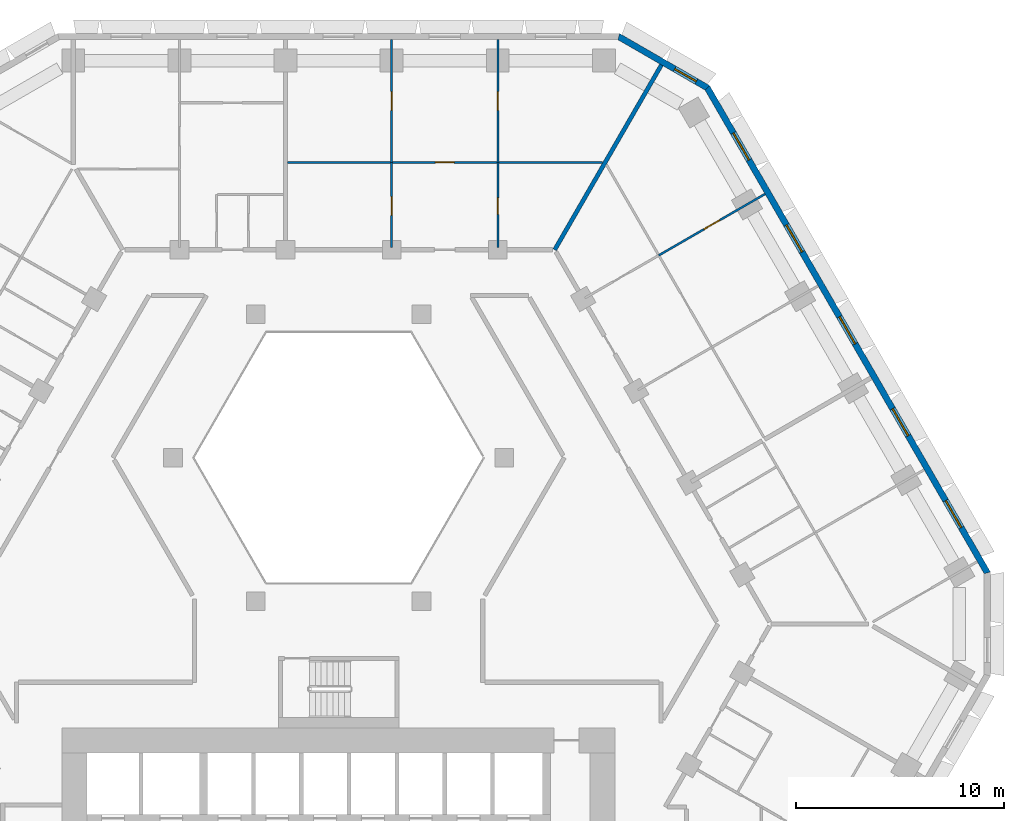
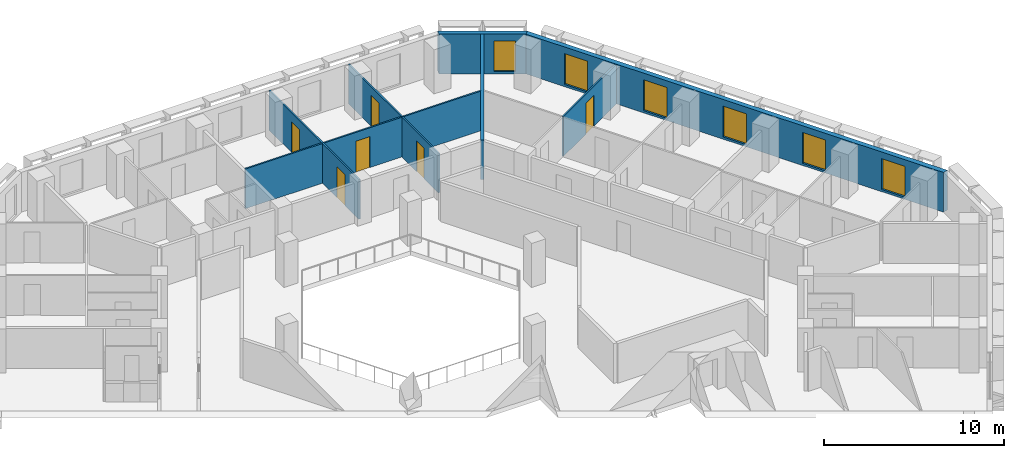
# One storey, part 10 of 16: 9 walls, 6 doors, 6 windows, 12 openings.
"""IFC4 building model written with IfcOpenShell, lengths in metres."""

from ifc_helpers import new_model, si_unit, direction, frame, frame_2d, origin, place, context, subcontext, project, spatial, polyline, rectangle, outline, extrude, material, layer, layer_set, type_object, element, fill, save


model = new_model("IFC4")

# Units and contexts
model_context = context("Model", 3, precision=1e-05, world=origin(), true_north=direction((0.0, 1.0)))
body_context = subcontext(model_context, "Body", "Model", "MODEL_VIEW")
ifc_project = project(units=[si_unit("LENGTHUNIT", "METRE"), si_unit("AREAUNIT", "SQUARE_METRE"), si_unit("VOLUMEUNIT", "CUBIC_METRE"), si_unit("PLANEANGLEUNIT", "RADIAN"), si_unit("MASSUNIT", "GRAM", prefix="KILO")], contexts=[model_context])

# Site, building, storey
site_placement = place(None, origin())
site = spatial("IfcSite", under=ifc_project, at=site_placement, CompositionType="ELEMENT")
building_placement = place(site_placement, origin())
building = spatial("IfcBuilding", under=site, at=building_placement, Name="Beryl Residences", CompositionType="ELEMENT")
storey_placement = place(building_placement, frame((0.0, 0.0, 44.39990234375)))
storey = spatial("IfcBuildingStorey", under=building, at=storey_placement, Name="L13", CompositionType="ELEMENT", Elevation=44.39990234375)

# Wall, openings, windows
ifc_material_1 = material(Name="Composite metal panel with mineral wool insulation")
ifc_layer_1 = layer(ifc_material_1, 0.300048828125)
ifc_layer_set_1 = layer_set([ifc_layer_1], Name="ES1 pale metal composite panel wall 300 mm")
wall_type_1 = type_object("IfcWallType", Name="ES1 pale metal composite panel wall 300 mm", PredefinedType="SOLIDWALL", material=ifc_layer_set_1)
wall_1_placement = place(storey_placement, frame((31.219970703125, 2.425048828125, 0.0), z_axis=(0.0, 0.0, 1.0), x_axis=(-0.500001938803, 0.866024284413, 0.0)))
wall_1 = element("IfcWall", 1, at=wall_1_placement, inside=storey, type_object=wall_type_1, Name="ES1 external wall L13 NE", PredefinedType="SOLIDWALL", context=body_context, shape_type="SweptSolid", body=[
    extrude(outline(polyline([(0.0, -0.14990234375), (27.02001953125, -0.14990234375), (26.939697265625, 0.14990234375), (0.080322265625, 0.14990234375), (0.0, -0.14990234375)])), origin(), (0.0, 0.0, 1.0), 2.7001953125),
])
opening_1_placement = place(wall_1_placement, frame((2.552978515625, 0.0, 0.14990234375)))
opening_1 = element("IfcOpeningElement", 2, at=opening_1_placement, cuts=wall_1, Name="Opening W1", PredefinedType="OPENING", context=body_context, shape_type="SweptSolid", body=[
    extrude(rectangle(XDim=1.5, YDim=2.10009765625, at=frame_2d((0.75, 1.050048828125))), frame((0.0, 0.159912109375, 0.0), z_axis=(0.0, -1.0, 0.0), x_axis=(1.0, 0.0, 0.0)), (0.0, 0.0, 1.0), 0.320068359375),
])
opening_2_placement = place(wall_1_placement, frame((7.656982421875, 0.0, 0.14990234375)))
opening_2 = element("IfcOpeningElement", 3, at=opening_2_placement, cuts=wall_1, Name="Opening W1", PredefinedType="OPENING", context=body_context, shape_type="SweptSolid", body=[
    extrude(rectangle(XDim=1.5, YDim=2.10009765625, at=frame_2d((0.75, 1.050048828125))), frame((0.0, 0.159912109375, 0.0), z_axis=(0.0, -1.0, 0.0), x_axis=(1.0, 0.0, 0.0)), (0.0, 0.0, 1.0), 0.320068359375),
])
opening_3_placement = place(wall_1_placement, frame((12.760986328125, 0.0, 0.14990234375)))
opening_3 = element("IfcOpeningElement", 4, at=opening_3_placement, cuts=wall_1, Name="Opening W1", PredefinedType="OPENING", context=body_context, shape_type="SweptSolid", body=[
    extrude(rectangle(XDim=1.5, YDim=2.10009765625, at=frame_2d((0.75, 1.050048828125))), frame((0.0, 0.159912109375, 0.0), z_axis=(0.0, -1.0, 0.0), x_axis=(1.0, 0.0, 0.0)), (0.0, 0.0, 1.0), 0.320068359375),
])
opening_4_placement = place(wall_1_placement, frame((17.864990234375, 0.0, 0.14990234375)))
opening_4 = element("IfcOpeningElement", 5, at=opening_4_placement, cuts=wall_1, Name="Opening W1", PredefinedType="OPENING", context=body_context, shape_type="SweptSolid", body=[
    extrude(rectangle(XDim=1.5, YDim=2.10009765625, at=frame_2d((0.75, 1.050048828125))), frame((0.0, 0.159912109375, 0.0), z_axis=(0.0, -1.0, 0.0), x_axis=(1.0, 0.0, 0.0)), (0.0, 0.0, 1.0), 0.320068359375),
])
opening_5_placement = place(wall_1_placement, frame((22.968994140625, 0.0, 0.14990234375)))
opening_5 = element("IfcOpeningElement", 6, at=opening_5_placement, cuts=wall_1, Name="Opening W1", PredefinedType="OPENING", context=body_context, shape_type="SweptSolid", body=[
    extrude(rectangle(XDim=1.5, YDim=2.10009765625, at=frame_2d((0.75, 1.050048828125))), frame((0.0, 0.159912109375, 0.0), z_axis=(0.0, -1.0, 0.0), x_axis=(1.0, 0.0, 0.0)), (0.0, 0.0, 1.0), 0.320068359375),
])
ifc_material_2 = material(Name="Aluminium and clear glass", Category="aluminium")
window_type_1 = type_object("IfcWindowType", Name="W1 cell window 1500 x 2100 mm", PartitioningType="SINGLE_PANEL", PredefinedType="WINDOW", material=ifc_material_2)
window_1_placement = place(opening_1_placement, origin())
window_1 = element("IfcWindow", 7, at=window_1_placement, inside=storey, type_object=window_type_1, Name="W1 window L13 NE 2", OverallHeight=2.10009765625, OverallWidth=1.5, PartitioningType="SINGLE_PANEL", PredefinedType="WINDOW", context=body_context, shape_type="SweptSolid", body=[
    extrude(rectangle(XDim=1.5, YDim=2.10009765625, at=frame_2d((0.75, 1.050048828125))), frame((0.0, 0.030029296875, 0.0), z_axis=(0.0, -1.0, 0.0), x_axis=(1.0, 0.0, 0.0)), (0.0, 0.0, 1.0), 0.06005859375),
])
fill(opening_1, window_1)
window_2_placement = place(opening_2_placement, origin())
window_2 = element("IfcWindow", 8, at=window_2_placement, inside=storey, type_object=window_type_1, Name="W1 window L13 NE 4", OverallHeight=2.10009765625, OverallWidth=1.5, PartitioningType="SINGLE_PANEL", PredefinedType="WINDOW", context=body_context, shape_type="SweptSolid", body=[
    extrude(rectangle(XDim=1.5, YDim=2.10009765625, at=frame_2d((0.75, 1.050048828125))), frame((0.0, 0.030029296875, 0.0), z_axis=(0.0, -1.0, 0.0), x_axis=(1.0, 0.0, 0.0)), (0.0, 0.0, 1.0), 0.06005859375),
])
fill(opening_2, window_2)
window_3_placement = place(opening_3_placement, origin())
window_3 = element("IfcWindow", 9, at=window_3_placement, inside=storey, type_object=window_type_1, Name="W1 window L13 NE 6", OverallHeight=2.10009765625, OverallWidth=1.5, PartitioningType="SINGLE_PANEL", PredefinedType="WINDOW", context=body_context, shape_type="SweptSolid", body=[
    extrude(rectangle(XDim=1.5, YDim=2.10009765625, at=frame_2d((0.75, 1.050048828125))), frame((0.0, 0.030029296875, 0.0), z_axis=(0.0, -1.0, 0.0), x_axis=(1.0, 0.0, 0.0)), (0.0, 0.0, 1.0), 0.06005859375),
])
fill(opening_3, window_3)
window_4_placement = place(opening_4_placement, origin())
window_4 = element("IfcWindow", 10, at=window_4_placement, inside=storey, type_object=window_type_1, Name="W1 window L13 NE 8", OverallHeight=2.10009765625, OverallWidth=1.5, PartitioningType="SINGLE_PANEL", PredefinedType="WINDOW", context=body_context, shape_type="SweptSolid", body=[
    extrude(rectangle(XDim=1.5, YDim=2.10009765625, at=frame_2d((0.75, 1.050048828125))), frame((0.0, 0.030029296875, 0.0), z_axis=(0.0, -1.0, 0.0), x_axis=(1.0, 0.0, 0.0)), (0.0, 0.0, 1.0), 0.06005859375),
])
fill(opening_4, window_4)
window_5_placement = place(opening_5_placement, origin())
window_5 = element("IfcWindow", 11, at=window_5_placement, inside=storey, type_object=window_type_1, Name="W1 window L13 NE 10", OverallHeight=2.10009765625, OverallWidth=1.5, PartitioningType="SINGLE_PANEL", PredefinedType="WINDOW", context=body_context, shape_type="SweptSolid", body=[
    extrude(rectangle(XDim=1.5, YDim=2.10009765625, at=frame_2d((0.75, 1.050048828125))), frame((0.0, 0.030029296875, 0.0), z_axis=(0.0, -1.0, 0.0), x_axis=(1.0, 0.0, 0.0)), (0.0, 0.0, 1.0), 0.06005859375),
])
fill(opening_5, window_5)

# Wall, opening, window
wall_2_placement = place(storey_placement, frame((17.764892578125, 25.77001953125, 0.0), z_axis=(0.0, 0.0, 1.0), x_axis=(-0.866010750942, 0.50002537861, 0.0)))
wall_2 = element("IfcWall", 12, at=wall_2_placement, inside=storey, type_object=wall_type_1, Name="ES1 external wall L13 NE-N", PredefinedType="SOLIDWALL", context=body_context, shape_type="SweptSolid", body=[
    extrude(outline(polyline([(0.0, -0.14990234375), (4.999755859375, -0.14990234375), (4.91943359375, 0.14990234375), (0.080322265625, 0.14990234375), (0.0, -0.14990234375)])), origin(), (0.0, 0.0, 1.0), 2.7001953125),
])
opening_6_placement = place(wall_2_placement, frame((0.64990234375, 0.0, 0.14990234375)))
opening_6 = element("IfcOpeningElement", 13, at=opening_6_placement, cuts=wall_2, Name="Opening W2", PredefinedType="OPENING", context=body_context, shape_type="SweptSolid", body=[
    extrude(rectangle(XDim=1.199951171875, YDim=2.10009765625, at=frame_2d((0.60009765625, 1.050048828125))), frame((0.0, 0.159912109375, 0.0), z_axis=(0.0, -1.0, 0.0), x_axis=(1.0, 0.0, 0.0)), (0.0, 0.0, 1.0), 0.320068359375),
])
ifc_material_3 = material(Name="Aluminium and clear glass", Category="aluminium")
window_type_2 = type_object("IfcWindowType", Name="W2 chamfer window 1200 x 2100 mm", PartitioningType="SINGLE_PANEL", PredefinedType="WINDOW", material=ifc_material_3)
window_6_placement = place(opening_6_placement, origin())
window_6 = element("IfcWindow", 14, at=window_6_placement, inside=storey, type_object=window_type_2, Name="W2 window L13 NE-N 1", OverallHeight=2.10009765625, OverallWidth=1.199951171875, PartitioningType="SINGLE_PANEL", PredefinedType="WINDOW", context=body_context, shape_type="SweptSolid", body=[
    extrude(rectangle(XDim=1.199951171875, YDim=2.10009765625, at=frame_2d((0.60009765625, 1.050048828125))), frame((0.0, 0.030029296875, 0.0), z_axis=(0.0, -1.0, 0.0), x_axis=(1.0, 0.0, 0.0)), (0.0, 0.0, 1.0), 0.06005859375),
])
fill(opening_6, window_6)

# Wall, opening, door
ifc_material_4 = material(Name="Gypsum board partition on steel studs", Category="steel")
ifc_layer_2 = layer(ifc_material_4, 0.10009765625)
ifc_layer_set_2 = layer_set([ifc_layer_2], Name="PT1 partition 100 mm gypsum board on steel studs")
wall_type_2 = type_object("IfcWallType", Name="PT1 partition 100 mm gypsum board on steel studs", PredefinedType="PARTITIONING", material=ifc_layer_set_2)
wall_3_placement = place(storey_placement, frame((-2.452880859375, 22.199951171875, 0.0), z_axis=(0.0, 0.0, 1.0), x_axis=(1.0, 0.0, 0.0)))
wall_3 = element("IfcWall", 15, at=wall_3_placement, inside=storey, type_object=wall_type_2, Name="Wall PT1 L13 034", PredefinedType="PARTITIONING", context=body_context, shape_type="SweptSolid", body=[
    extrude(rectangle(XDim=15.15478515625, YDim=0.10009765625, at=frame_2d((7.577392578125, 0.0))), origin(), (0.0, 0.0, 1.0), 2.7001953125),
])
opening_7_placement = place(wall_3_placement, frame((7.10595703125, 0.0, 0.0)))
opening_7 = element("IfcOpeningElement", 16, at=opening_7_placement, cuts=wall_3, Name="Opening D0559", PredefinedType="OPENING", context=body_context, shape_type="SweptSolid", body=[
    extrude(rectangle(XDim=0.89990234375, YDim=2.10009765625, at=frame_2d((0.449951171875, 1.050048828125))), frame((0.0, 0.06005859375, 0.0), z_axis=(0.0, -1.0, 0.0), x_axis=(1.0, 0.0, 0.0)), (0.0, 0.0, 1.0), 0.1201171875),
])
ifc_material_5 = material(Name="Timber door leaf", Category="wood")
door_type_1 = type_object("IfcDoorType", Name="D2 room door 900 x 2100 mm", OperationType="SINGLE_SWING_LEFT", PredefinedType="DOOR", material=ifc_material_5)
door_1_placement = place(opening_7_placement, origin())
door_1 = element("IfcDoor", 17, at=door_1_placement, inside=storey, type_object=door_type_1, Name="Door D0559 L13 001", OperationType="SINGLE_SWING_LEFT", OverallHeight=2.10009765625, OverallWidth=0.89990234375, PredefinedType="DOOR", context=body_context, shape_type="SweptSolid", body=[
    extrude(rectangle(XDim=0.89990234375, YDim=2.10009765625, at=frame_2d((0.449951171875, 1.050048828125))), frame((0.0, 0.02490234375, 0.0), z_axis=(0.0, -1.0, 0.0), x_axis=(1.0, 0.0, 0.0)), (0.0, 0.0, 1.0), 0.050048828125),
])
fill(opening_7, door_1)

wall_4_placement = place(storey_placement, frame((7.655029296875, 18.10009765625, 0.0), z_axis=(0.0, 0.0, 1.0), x_axis=(0.0, 1.0, 0.0)))
wall_4 = element("IfcWall", 18, at=wall_4_placement, inside=storey, type_object=wall_type_2, Name="Wall PT1 L13 043", PredefinedType="PARTITIONING", context=body_context, shape_type="SweptSolid", body=[
    extrude(rectangle(XDim=4.099853515625, YDim=0.10009765625, at=frame_2d((2.0498046875, 0.0))), origin(), (0.0, 0.0, 1.0), 2.7001953125),
])
opening_8_placement = place(wall_4_placement, frame((1.60009765625, 0.0, 0.0)))
opening_8 = element("IfcOpeningElement", 19, at=opening_8_placement, cuts=wall_4, Name="Opening D0560", PredefinedType="OPENING", context=body_context, shape_type="SweptSolid", body=[
    extrude(rectangle(XDim=0.800048828125, YDim=2.10009765625, at=frame_2d((0.39990234375, 1.050048828125))), frame((0.0, 0.06005859375, 0.0), z_axis=(0.0, -1.0, 0.0), x_axis=(1.0, 0.0, 0.0)), (0.0, 0.0, 1.0), 0.1201171875),
])
ifc_material_6 = material(Name="Timber door leaf", Category="wood")
door_type_2 = type_object("IfcDoorType", Name="D3 bathroom door 800 x 2100 mm", OperationType="SINGLE_SWING_LEFT", PredefinedType="DOOR", material=ifc_material_6)
door_2_placement = place(opening_8_placement, origin())
door_2 = element("IfcDoor", 20, at=door_2_placement, inside=storey, type_object=door_type_2, Name="Door D0560 L13 001", OperationType="SINGLE_SWING_RIGHT", OverallHeight=2.10009765625, OverallWidth=0.800048828125, PredefinedType="DOOR", context=body_context, shape_type="SweptSolid", body=[
    extrude(rectangle(XDim=0.800048828125, YDim=2.10009765625, at=frame_2d((0.39990234375, 1.050048828125))), frame((0.0, 0.02490234375, 0.0), z_axis=(0.0, -1.0, 0.0), x_axis=(1.0, 0.0, 0.0)), (0.0, 0.0, 1.0), 0.050048828125),
])
fill(opening_8, door_2)

wall_5_placement = place(storey_placement, frame((2.551025390625, 18.10009765625, 0.0), z_axis=(0.0, 0.0, 1.0), x_axis=(0.0, 1.0, 0.0)))
wall_5 = element("IfcWall", 21, at=wall_5_placement, inside=storey, type_object=wall_type_2, Name="Wall PT1 L13 049", PredefinedType="PARTITIONING", context=body_context, shape_type="SweptSolid", body=[
    extrude(rectangle(XDim=4.099853515625, YDim=0.10009765625, at=frame_2d((2.0498046875, 0.0))), origin(), (0.0, 0.0, 1.0), 2.7001953125),
])
opening_9_placement = place(wall_5_placement, frame((1.550048828125, 0.0, 0.0)))
opening_9 = element("IfcOpeningElement", 22, at=opening_9_placement, cuts=wall_5, Name="Opening D0561", PredefinedType="OPENING", context=body_context, shape_type="SweptSolid", body=[
    extrude(rectangle(XDim=0.89990234375, YDim=2.10009765625, at=frame_2d((0.449951171875, 1.050048828125))), frame((0.0, 0.06005859375, 0.0), z_axis=(0.0, -1.0, 0.0), x_axis=(1.0, 0.0, 0.0)), (0.0, 0.0, 1.0), 0.1201171875),
])
door_3_placement = place(opening_9_placement, origin())
door_3 = element("IfcDoor", 23, at=door_3_placement, inside=storey, type_object=door_type_1, Name="Door D0561 L13 001", OperationType="SINGLE_SWING_LEFT", OverallHeight=2.10009765625, OverallWidth=0.89990234375, PredefinedType="DOOR", context=body_context, shape_type="SweptSolid", body=[
    extrude(rectangle(XDim=0.89990234375, YDim=2.10009765625, at=frame_2d((0.449951171875, 1.050048828125))), frame((0.0, 0.02490234375, 0.0), z_axis=(0.0, -1.0, 0.0), x_axis=(1.0, 0.0, 0.0)), (0.0, 0.0, 1.0), 0.050048828125),
])
fill(opening_9, door_3)

wall_6_placement = place(storey_placement, frame((15.39697265625, 17.73095703125, 0.0), z_axis=(0.0, 0.0, 1.0), x_axis=(0.866052608538, 0.499952877023, 0.0)))
wall_6 = element("IfcWall", 24, at=wall_6_placement, inside=storey, type_object=wall_type_2, Name="Wall PT1 L13 069", PredefinedType="PARTITIONING", context=body_context, shape_type="SweptSolid", body=[
    extrude(rectangle(XDim=5.900390625, YDim=0.10009765625, at=frame_2d((2.9501953125, 0.0))), origin(), (0.0, 0.0, 1.0), 2.7001953125),
])
opening_10_placement = place(wall_6_placement, frame((2.5, 0.0, 0.0)))
opening_10 = element("IfcOpeningElement", 25, at=opening_10_placement, cuts=wall_6, Name="Opening D0557", PredefinedType="OPENING", context=body_context, shape_type="SweptSolid", body=[
    extrude(rectangle(XDim=0.89990234375, YDim=2.10009765625, at=frame_2d((0.449951171875, 1.050048828125))), frame((0.0, 0.06005859375, 0.0), z_axis=(0.0, -1.0, 0.0), x_axis=(1.0, 0.0, 0.0)), (0.0, 0.0, 1.0), 0.1201171875),
])
door_4_placement = place(opening_10_placement, origin())
door_4 = element("IfcDoor", 26, at=door_4_placement, inside=storey, type_object=door_type_1, Name="Door D0557 L13 001", OperationType="SINGLE_SWING_LEFT", OverallHeight=2.10009765625, OverallWidth=0.89990234375, PredefinedType="DOOR", context=body_context, shape_type="SweptSolid", body=[
    extrude(rectangle(XDim=0.89990234375, YDim=2.10009765625, at=frame_2d((0.449951171875, 1.050048828125))), frame((0.0, 0.02490234375, 0.0), z_axis=(0.0, -1.0, 0.0), x_axis=(1.0, 0.0, 0.0)), (0.0, 0.0, 1.0), 0.050048828125),
])
fill(opening_10, door_4)

wall_7_placement = place(storey_placement, frame((7.655029296875, 22.199951171875, 0.0), z_axis=(0.0, 0.0, 1.0), x_axis=(0.0, 1.0, 0.0)))
wall_7 = element("IfcWall", 27, at=wall_7_placement, inside=storey, type_object=wall_type_2, Name="Wall PT1 L13 075", PredefinedType="PARTITIONING", context=body_context, shape_type="SweptSolid", body=[
    extrude(rectangle(XDim=5.900146484375, YDim=0.10009765625, at=frame_2d((2.9501953125, 0.0))), origin(), (0.0, 0.0, 1.0), 2.7001953125),
])
opening_11_placement = place(wall_7_placement, frame((2.5, 0.0, 0.0)))
opening_11 = element("IfcOpeningElement", 28, at=opening_11_placement, cuts=wall_7, Name="Opening D0563", PredefinedType="OPENING", context=body_context, shape_type="SweptSolid", body=[
    extrude(rectangle(XDim=0.89990234375, YDim=2.10009765625, at=frame_2d((0.449951171875, 1.050048828125))), frame((0.0, 0.06005859375, 0.0), z_axis=(0.0, -1.0, 0.0), x_axis=(1.0, 0.0, 0.0)), (0.0, 0.0, 1.0), 0.1201171875),
])
door_5_placement = place(opening_11_placement, origin())
door_5 = element("IfcDoor", 29, at=door_5_placement, inside=storey, type_object=door_type_1, Name="Door D0563 L13 001", OperationType="SINGLE_SWING_LEFT", OverallHeight=2.10009765625, OverallWidth=0.89990234375, PredefinedType="DOOR", context=body_context, shape_type="SweptSolid", body=[
    extrude(rectangle(XDim=0.89990234375, YDim=2.10009765625, at=frame_2d((0.449951171875, 1.050048828125))), frame((0.0, 0.02490234375, 0.0), z_axis=(0.0, -1.0, 0.0), x_axis=(1.0, 0.0, 0.0)), (0.0, 0.0, 1.0), 0.050048828125),
])
fill(opening_11, door_5)

wall_8_placement = place(storey_placement, frame((2.551025390625, 22.199951171875, 0.0), z_axis=(0.0, 0.0, 1.0), x_axis=(0.0, 1.0, 0.0)))
wall_8 = element("IfcWall", 30, at=wall_8_placement, inside=storey, type_object=wall_type_2, Name="Wall PT1 L13 076", PredefinedType="PARTITIONING", context=body_context, shape_type="SweptSolid", body=[
    extrude(rectangle(XDim=5.900146484375, YDim=0.10009765625, at=frame_2d((2.9501953125, 0.0))), origin(), (0.0, 0.0, 1.0), 2.7001953125),
])
opening_12_placement = place(wall_8_placement, frame((2.5, 0.0, 0.0)))
opening_12 = element("IfcOpeningElement", 31, at=opening_12_placement, cuts=wall_8, Name="Opening D0562", PredefinedType="OPENING", context=body_context, shape_type="SweptSolid", body=[
    extrude(rectangle(XDim=0.89990234375, YDim=2.10009765625, at=frame_2d((0.449951171875, 1.050048828125))), frame((0.0, 0.06005859375, 0.0), z_axis=(0.0, -1.0, 0.0), x_axis=(1.0, 0.0, 0.0)), (0.0, 0.0, 1.0), 0.1201171875),
])
door_6_placement = place(opening_12_placement, origin())
door_6 = element("IfcDoor", 32, at=door_6_placement, inside=storey, type_object=door_type_1, Name="Door D0562 L13 001", OperationType="SINGLE_SWING_RIGHT", OverallHeight=2.10009765625, OverallWidth=0.89990234375, PredefinedType="DOOR", context=body_context, shape_type="SweptSolid", body=[
    extrude(rectangle(XDim=0.89990234375, YDim=2.10009765625, at=frame_2d((0.449951171875, 1.050048828125))), frame((0.0, 0.02490234375, 0.0), z_axis=(0.0, -1.0, 0.0), x_axis=(1.0, 0.0, 0.0)), (0.0, 0.0, 1.0), 0.050048828125),
])
fill(opening_12, door_6)

# Wall
ifc_material_7 = material(Name="Acoustic double stud gypsum board wall")
ifc_layer_3 = layer(ifc_material_7, 0.199951171875)
ifc_layer_set_3 = layer_set([ifc_layer_3], Name="PT3 party wall 200 mm acoustic double stud")
wall_type_3 = type_object("IfcWallType", Name="PT3 party wall 200 mm acoustic double stud", PredefinedType="PARTITIONING", material=ifc_layer_set_3)
wall_9_placement = place(storey_placement, frame((10.39306640625, 18.0, 0.0), z_axis=(0.0, 0.0, 1.0), x_axis=(0.499945497007, 0.866056868816, 0.0)))
element("IfcWall", 33, at=wall_9_placement, inside=storey, type_object=wall_type_3, Name="Wall PT3 L13 012", PredefinedType="PARTITIONING", context=body_context, shape_type="SweptSolid", body=[
    extrude(rectangle(XDim=10.264892578125, YDim=0.199951171875, at=frame_2d((5.13232421875, 0.0))), origin(), (0.0, 0.0, 1.0), 2.7001953125),
])

save(model, "model.ifc")
